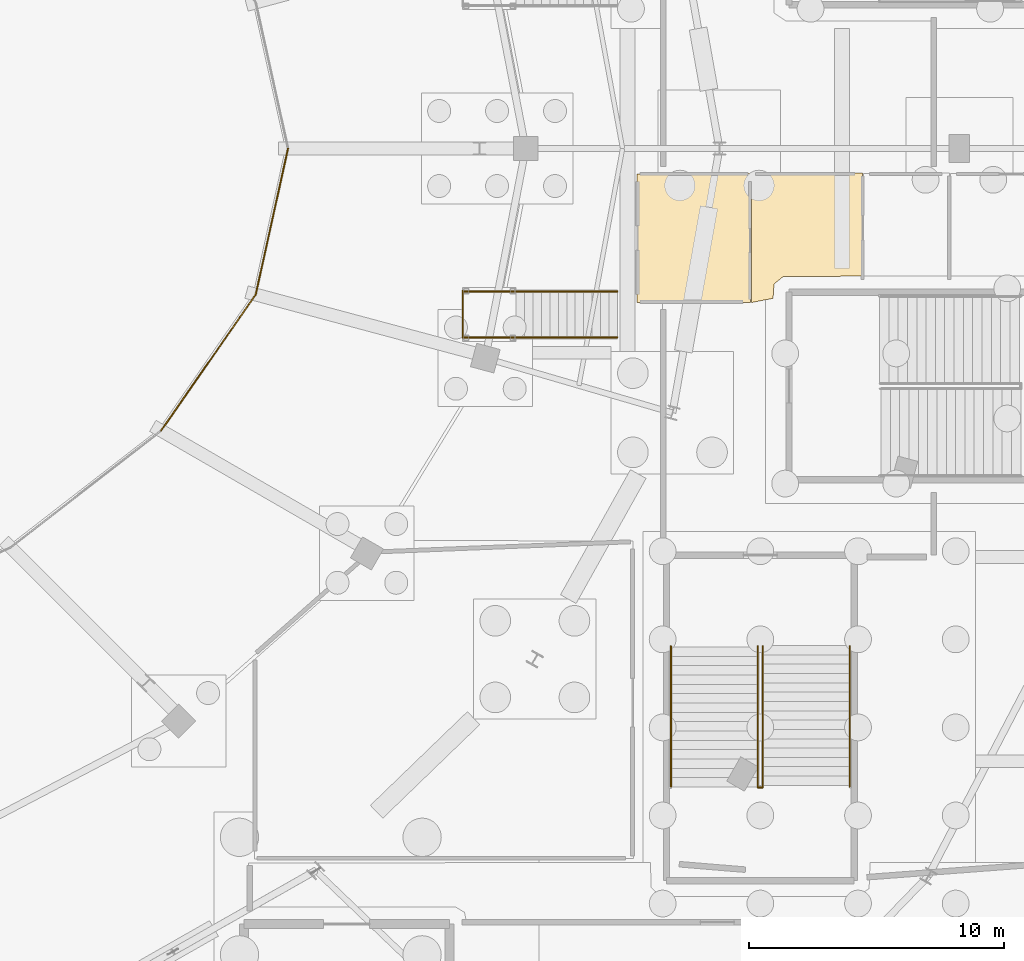
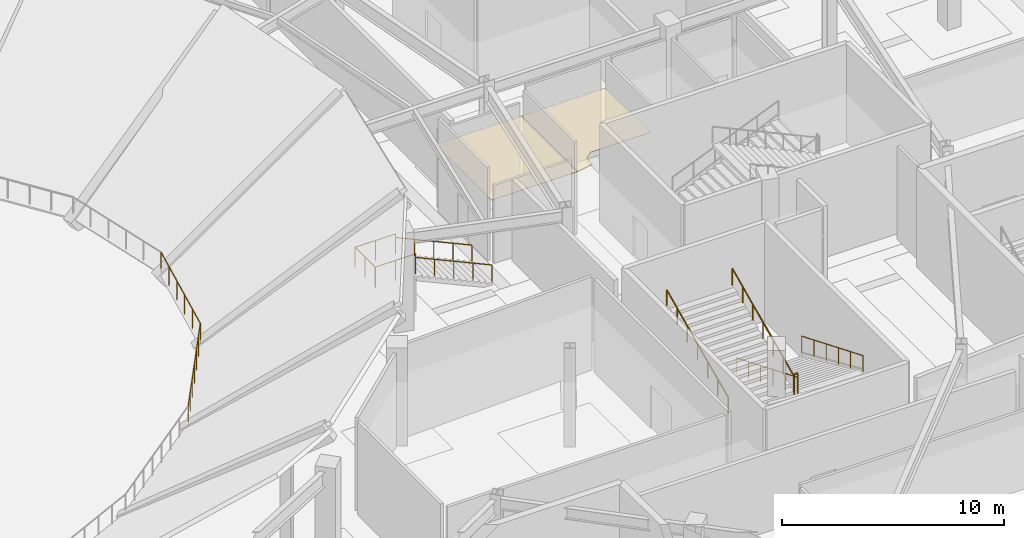
# One storey, part 85 of 93: 12 railings, 2 coverings.
"""IFC4 building model written with IfcOpenShell, lengths in metres."""

from ifc_helpers import new_model, si_unit, direction, frame, origin, origin_2d, place, context, subcontext, project, spatial, polyline, circle, outline, extrude, material, layer, layer_set, type_object, element, save


model = new_model("IFC4")

# Units and contexts
model_context = context("Model", 3, precision=1e-05, world=origin(), true_north=direction((0.0, 1.0)))
body_context = subcontext(model_context, "Body", "Model", "MODEL_VIEW")
ifc_project = project(units=[si_unit("LENGTHUNIT", "METRE"), si_unit("AREAUNIT", "SQUARE_METRE"), si_unit("VOLUMEUNIT", "CUBIC_METRE"), si_unit("PLANEANGLEUNIT", "RADIAN"), si_unit("MASSUNIT", "GRAM", prefix="KILO")], contexts=[model_context])

# Site, building, storey
site_placement = place(None, origin())
site = spatial("IfcSite", under=ifc_project, at=site_placement, CompositionType="ELEMENT")
building_placement = place(site_placement, origin())
building = spatial("IfcBuilding", under=site, at=building_placement, Name="Kalgoora Escarpment Arena", CompositionType="ELEMENT")
storey_placement = place(building_placement, origin())
storey = spatial("IfcBuildingStorey", under=building, at=storey_placement, Name="L00", CompositionType="ELEMENT", Elevation=0.0)

# Coverings
ifc_material_1 = material(Name="Perforated acoustic mineral-fibre ceiling tile")
ifc_layer = layer(ifc_material_1, 0.02490234375)
ifc_layer_set = layer_set([ifc_layer], Name="COV-CEIL-ACOUSTIC")
covering_type = type_object("IfcCoveringType", Name="COV-CEIL-ACOUSTIC", PredefinedType="CEILING", material=ifc_layer_set)
covering_1_placement = place(storey_placement, frame((0.0, 0.0, 3.47998046875)))
element("IfcCovering", 1, at=covering_1_placement, inside=storey, type_object=covering_type, Name="L00 Male WC 2 acoustic suspended ceiling", PredefinedType="CEILING", context=body_context, shape_type="SweptSolid", body=[
    extrude(outline(polyline([(143.160888671875, 63.0078125), (147.630859375, 63.025390625), (147.62548828125, 57.968994140625), (143.169189453125, 57.974609375), (143.160888671875, 63.0078125)])), origin(), (0.0, 0.0, 1.0), 0.02490234375),
])
covering_2_placement = place(storey_placement, frame((0.0, 0.0, 3.47998046875)))
element("IfcCovering", 2, at=covering_2_placement, inside=storey, type_object=covering_type, Name="L00 Female WC 2 acoustic suspended ceiling", PredefinedType="CEILING", context=body_context, shape_type="SweptSolid", body=[
    extrude(outline(polyline([(152.0078125, 63.039306640625), (152.0400390625, 59.0), (148.902587890625, 58.990478515625), (148.5380859375, 58.69140625), (148.5, 58.132080078125), (147.65478515625, 57.968994140625), (147.649169921875, 63.025390625), (152.0078125, 63.039306640625)])), origin(), (0.0, 0.0, 1.0), 0.02490234375),
])

# Railings
ifc_material_2 = material(Name="Galvanised & powdercoated tubular steel", Category="steel")
railing_type_1 = type_object("IfcRailingType", Name="RAL-GUARD-1120", PredefinedType="GUARDRAIL", material=ifc_material_2)
railing_1_placement = place(storey_placement, frame((148.090087890625, 38.97509765625, 2.699951171875)))
element("IfcRailing", 3, at=railing_1_placement, inside=storey, type_object=railing_type_1, Name="ST24 L00 half-landing well guard", PredefinedType="GUARDRAIL", context=body_context, shape_type="SweptSolid", body=[
    extrude(circle(Radius=0.02392578125, at=origin_2d()), frame((0.0, 0.0, 1.09619140625), z_axis=(-1.0, 0.0, 0.0), x_axis=(0.0, -1.0, 0.0)), (0.0, 0.0, 1.0), 0.18017578125),
    extrude(circle(Radius=0.02099609375, at=origin_2d()), origin(), (0.0, 0.0, 1.0), 1.072021484375),
    extrude(circle(Radius=0.02099609375, at=origin_2d()), frame((-0.18017578125, 0.0, 0.0)), (0.0, 0.0, 1.0), 1.072021484375),
])
for number, where, name in (
    (4, (138.43994140625, 58.39990234375, 1.949951171875), "Vomitory VST11 landing guard L"),
    (5, (138.43994140625, 56.60009765625, 1.949951171875), "Vomitory VST11 landing guard R"),
):
    element("IfcRailing", number, at=place(storey_placement, frame(where)), inside=storey, type_object=railing_type_1, Name=name, PredefinedType="GUARDRAIL", context=body_context, shape_type="SweptSolid", body=[
        extrude(circle(Radius=0.02392578125, at=origin_2d()), frame((0.0, 0.0, 1.09619140625), z_axis=(-1.0, 0.0, 0.0), x_axis=(0.0, -1.0, 0.0)), (0.0, 0.0, 1.0), 2.099853515625),
        extrude(circle(Radius=0.02099609375, at=origin_2d()), origin(), (0.0, 0.0, 1.0), 1.072021484375),
        extrude(circle(Radius=0.02099609375, at=origin_2d()), frame((-1.0498046875, 0.0, 0.0)), (0.0, 0.0, 1.0), 1.072021484375),
        extrude(circle(Radius=0.02099609375, at=origin_2d()), frame((-2.099853515625, 0.0, 0.0)), (0.0, 0.0, 1.0), 1.072021484375),
    ])
railing_2_placement = place(storey_placement, frame((136.340087890625, 58.419921875, 1.949951171875)))
element("IfcRailing", 6, at=railing_2_placement, inside=storey, type_object=railing_type_1, Name="Vomitory VST11 landing end guard", PredefinedType="GUARDRAIL", context=body_context, shape_type="SweptSolid", body=[
    extrude(circle(Radius=0.02392578125, at=origin_2d()), frame((0.0, 0.0, 1.09619140625), z_axis=(0.0, -1.0, 0.0), x_axis=(1.0, 0.0, 0.0)), (0.0, 0.0, 1.0), 1.83984375),
    extrude(circle(Radius=0.02099609375, at=origin_2d()), origin(), (0.0, 0.0, 1.0), 1.072021484375),
    extrude(circle(Radius=0.02099609375, at=origin_2d()), frame((0.0, -0.919921875, 0.0)), (0.0, 0.0, 1.0), 1.072021484375),
    extrude(circle(Radius=0.02099609375, at=origin_2d()), frame((0.0, -1.83984375, 0.0)), (0.0, 0.0, 1.0), 1.072021484375),
])
railing_3_placement = place(storey_placement, frame((124.529541015625, 52.949951171875, 0.679931640625)))
element("IfcRailing", 7, at=railing_3_placement, inside=storey, type_object=railing_type_1, Name="Lower tier front sightline guard 23", PredefinedType="GUARDRAIL", context=body_context, shape_type="SweptSolid", body=[
    extrude(circle(Radius=0.02392578125, at=origin_2d()), frame((0.0, 0.0, 1.09619140625), z_axis=(0.570900302793, 0.821019393359, 0.0), x_axis=(-0.821019393359, 0.570900302793, 0.0)), (0.0, 0.0, 1.0), 6.491943359375),
    extrude(circle(Radius=0.02099609375, at=origin_2d()), origin(), (0.0, 0.0, 1.0), 1.072021484375),
    extrude(circle(Radius=0.02099609375, at=origin_2d()), frame((0.61767578125, 0.888427734375, 0.0)), (0.0, 0.0, 1.0), 1.072021484375),
    extrude(circle(Radius=0.02099609375, at=origin_2d()), frame((1.2353515625, 1.776611328125, 0.0)), (0.0, 0.0, 1.0), 1.072021484375),
    extrude(circle(Radius=0.02099609375, at=origin_2d()), frame((1.85302734375, 2.6650390625, 0.0)), (0.0, 0.0, 1.0), 1.072021484375),
    extrude(circle(Radius=0.02099609375, at=origin_2d()), frame((2.470947265625, 3.553466796875, 0.0)), (0.0, 0.0, 1.0), 1.072021484375),
    extrude(circle(Radius=0.02099609375, at=origin_2d()), frame((3.088623046875, 4.441650390625, 0.0)), (0.0, 0.0, 1.0), 1.072021484375),
    extrude(circle(Radius=0.02099609375, at=origin_2d()), frame((3.706298828125, 5.330078125, 0.0)), (0.0, 0.0, 1.0), 1.072021484375),
])
railing_4_placement = place(storey_placement, frame((128.23583984375, 58.280029296875, 0.679931640625)))
element("IfcRailing", 8, at=railing_4_placement, inside=storey, type_object=railing_type_1, Name="Lower tier front sightline guard 24", PredefinedType="GUARDRAIL", context=body_context, shape_type="SweptSolid", body=[
    extrude(circle(Radius=0.02392578125, at=origin_2d()), frame((0.0, 0.0, 1.09619140625), z_axis=(0.21580063573, 0.97643744583, 0.0), x_axis=(-0.97643744583, 0.21580063573, 0.0)), (0.0, 0.0, 1.0), 5.85791015625),
    extrude(circle(Radius=0.02099609375, at=origin_2d()), origin(), (0.0, 0.0, 1.0), 1.072021484375),
    extrude(circle(Radius=0.02099609375, at=origin_2d()), frame((0.2529296875, 1.14404296875, 0.0)), (0.0, 0.0, 1.0), 1.072021484375),
    extrude(circle(Radius=0.02099609375, at=origin_2d()), frame((0.505615234375, 2.2880859375, 0.0)), (0.0, 0.0, 1.0), 1.072021484375),
    extrude(circle(Radius=0.02099609375, at=origin_2d()), frame((0.758544921875, 3.431884765625, 0.0)), (0.0, 0.0, 1.0), 1.072021484375),
    extrude(circle(Radius=0.02099609375, at=origin_2d()), frame((1.01123046875, 4.575927734375, 0.0)), (0.0, 0.0, 1.0), 1.072021484375),
    extrude(circle(Radius=0.02099609375, at=origin_2d()), frame((1.26416015625, 5.719970703125, 0.0)), (0.0, 0.0, 1.0), 1.072021484375),
])
ifc_material_3 = material(Name="Brushed stainless steel 316 handrail", Category="steel")
railing_type_2 = type_object("IfcRailingType", Name="RAL-HAND-920", PredefinedType="HANDRAIL", material=ifc_material_3)
for number, where, name in (
    (9, (151.5, 44.510009765625, 0.388916015625), "ST24 L00 pitched stair handrail F1L"),
    (10, (148.10009765625, 44.510009765625, 0.388916015625), "ST24 L00 pitched stair handrail F1R"),
):
    element("IfcRailing", number, at=place(storey_placement, frame(where)), inside=storey, type_object=railing_type_2, Name=name, PredefinedType="HANDRAIL", context=body_context, shape_type="SweptSolid", body=[
        extrude(circle(Radius=0.02392578125, at=origin_2d()), frame((0.0, 0.0, 0.89599609375), z_axis=(0.0, -0.924430832969, 0.381349754236), x_axis=(1.0, 0.0, 0.0)), (0.0, 0.0, 1.0), 5.955078125),
        extrude(circle(Radius=0.02099609375, at=origin_2d()), origin(), (0.0, 0.0, 1.0), 0.871826171875),
        extrude(circle(Radius=0.02099609375, at=origin_2d()), frame((0.0, -1.10107421875, 0.4541015625)), (0.0, 0.0, 1.0), 0.871826171875),
        extrude(circle(Radius=0.02099609375, at=origin_2d()), frame((0.0, -2.2021484375, 0.908447265625)), (0.0, 0.0, 1.0), 0.871826171875),
        extrude(circle(Radius=0.02099609375, at=origin_2d()), frame((0.0, -3.302978515625, 1.362548828125)), (0.0, 0.0, 1.0), 0.871826171875),
        extrude(circle(Radius=0.02099609375, at=origin_2d()), frame((0.0, -4.404052734375, 1.81689453125)), (0.0, 0.0, 1.0), 0.871826171875),
        extrude(circle(Radius=0.02099609375, at=origin_2d()), frame((0.0, -5.505126953125, 2.27099609375)), (0.0, 0.0, 1.0), 0.871826171875),
    ])
for number, where, name in (
    (11, (147.89990234375, 39.0048828125, 2.828857421875), "ST24 L00 pitched stair handrail F2L"),
    (12, (144.5, 39.0048828125, 2.828857421875), "ST24 L00 pitched stair handrail F2R"),
):
    element("IfcRailing", number, at=place(storey_placement, frame(where)), inside=storey, type_object=railing_type_2, Name=name, PredefinedType="HANDRAIL", context=body_context, shape_type="SweptSolid", body=[
        extrude(circle(Radius=0.02392578125, at=origin_2d()), frame((0.0, 0.0, 0.89599609375), z_axis=(0.0, 0.908559891483, 0.417754621265), x_axis=(-1.0, 0.0, 0.0)), (0.0, 0.0, 1.0), 6.05908203125),
        extrude(circle(Radius=0.02099609375, at=origin_2d()), origin(), (0.0, 0.0, 1.0), 0.871826171875),
        extrude(circle(Radius=0.02099609375, at=origin_2d()), frame((0.0, 0.91748046875, 0.421875)), (0.0, 0.0, 1.0), 0.871826171875),
        extrude(circle(Radius=0.02099609375, at=origin_2d()), frame((0.0, 1.8349609375, 0.84375)), (0.0, 0.0, 1.0), 0.871826171875),
        extrude(circle(Radius=0.02099609375, at=origin_2d()), frame((0.0, 2.75244140625, 1.265625)), (0.0, 0.0, 1.0), 0.871826171875),
        extrude(circle(Radius=0.02099609375, at=origin_2d()), frame((0.0, 3.670166015625, 1.6875)), (0.0, 0.0, 1.0), 0.871826171875),
        extrude(circle(Radius=0.02099609375, at=origin_2d()), frame((0.0, 4.587646484375, 2.109375)), (0.0, 0.0, 1.0), 0.871826171875),
        extrude(circle(Radius=0.02099609375, at=origin_2d()), frame((0.0, 5.505126953125, 2.53125)), (0.0, 0.0, 1.0), 0.871826171875),
    ])
for number, where, name in (
    (13, (142.39990234375, 58.39990234375, 0.14990234375), "Vomitory VST11 handrail L"),
    (14, (142.39990234375, 56.60009765625, 0.14990234375), "Vomitory VST11 handrail R"),
):
    element("IfcRailing", number, at=place(storey_placement, frame(where)), inside=storey, type_object=railing_type_2, Name=name, PredefinedType="HANDRAIL", context=body_context, shape_type="SweptSolid", body=[
        extrude(circle(Radius=0.02392578125, at=origin_2d()), frame((0.0, 0.0, 0.89599609375), z_axis=(-0.910360711023, 0.0, 0.413815630233), x_axis=(0.0, -1.0, 0.0)), (0.0, 0.0, 1.0), 4.349853515625),
        extrude(circle(Radius=0.02099609375, at=origin_2d()), origin(), (0.0, 0.0, 1.0), 0.871826171875),
        extrude(circle(Radius=0.02099609375, at=origin_2d()), frame((-0.989990234375, 0.0, 0.449951171875)), (0.0, 0.0, 1.0), 0.871826171875),
        extrude(circle(Radius=0.02099609375, at=origin_2d()), frame((-1.97998046875, 0.0, 0.89990234375)), (0.0, 0.0, 1.0), 0.871826171875),
        extrude(circle(Radius=0.02099609375, at=origin_2d()), frame((-2.969970703125, 0.0, 1.35009765625)), (0.0, 0.0, 1.0), 0.871826171875),
        extrude(circle(Radius=0.02099609375, at=origin_2d()), frame((-3.9599609375, 0.0, 1.800048828125)), (0.0, 0.0, 1.0), 0.871826171875),
    ])

save(model, "model.ifc")
